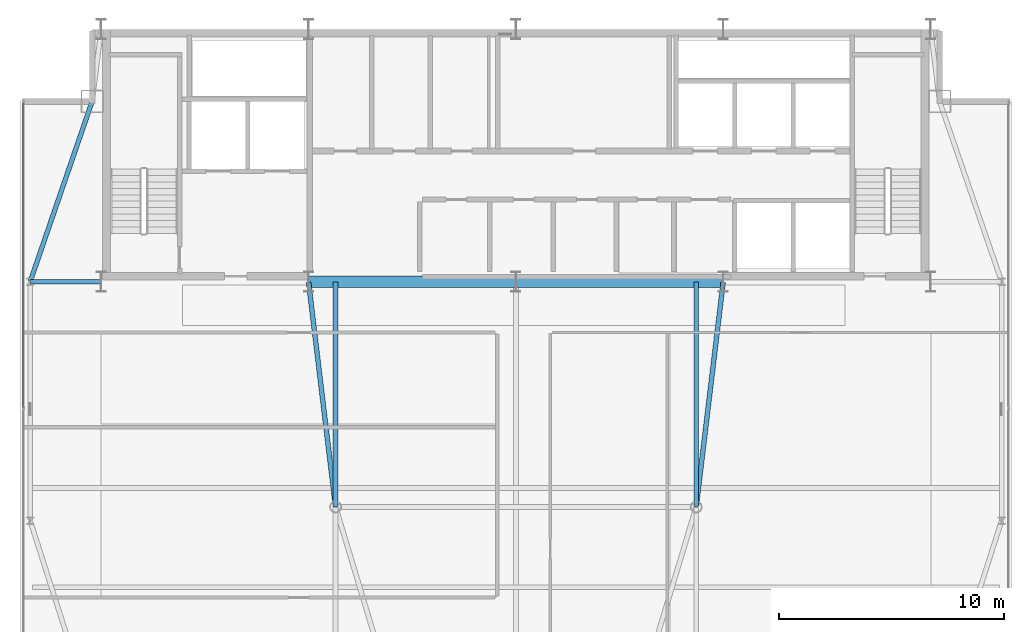
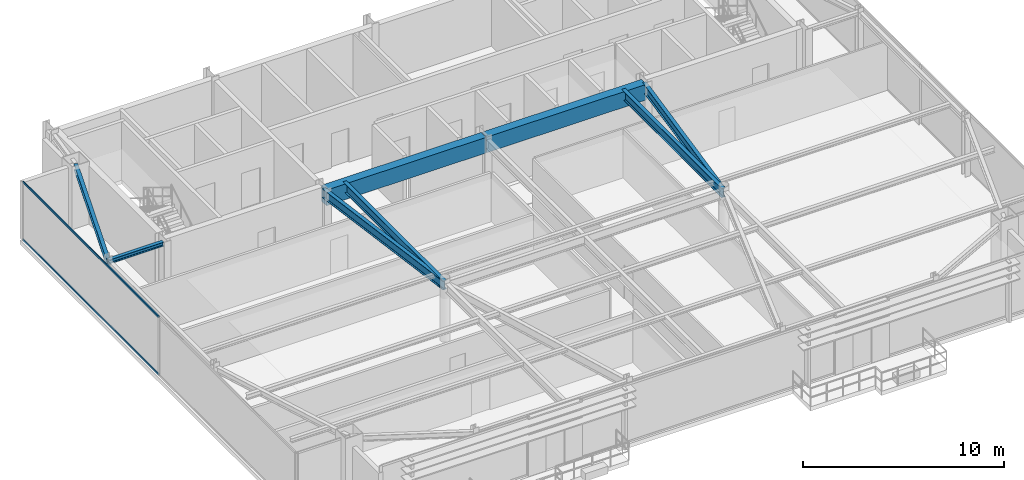
# One storey, part 10 of 23: 8 beams, 2 members, 1 element without a shape of its own.
"""IFC4 building model written with IfcOpenShell, lengths in metres."""

from ifc_helpers import new_model, si_unit, direction, frame, origin, origin_2d, place, context, subcontext, project, spatial, rectangle, hollow_rectangle, i_section, extrude, source, transform, mapped, material, layer, layer_set, material_profile, profile_set, type_object, type_shapes, element, aggregate, save


model = new_model("IFC4")

# Units and contexts
model_context = context("Model", 3, precision=1e-05, world=origin(), true_north=direction((0.0, 1.0)))
body_context = subcontext(model_context, "Body", "Model", "MODEL_VIEW")
ifc_project = project(units=[si_unit("LENGTHUNIT", "METRE"), si_unit("AREAUNIT", "SQUARE_METRE"), si_unit("VOLUMEUNIT", "CUBIC_METRE"), si_unit("PLANEANGLEUNIT", "RADIAN"), si_unit("MASSUNIT", "GRAM", prefix="KILO")], contexts=[model_context])

# Site, building, storey
site_placement = place(None, origin())
site = spatial("IfcSite", under=ifc_project, at=site_placement, CompositionType="ELEMENT")
building_placement = place(site_placement, origin())
building = spatial("IfcBuilding", under=site, at=building_placement, Name="Varnel Quay Broadcast Tower", CompositionType="ELEMENT")
storey_placement = place(building_placement, frame((0.0, 0.0, 266.0)))
storey = spatial("IfcBuildingStorey", under=building, at=storey_placement, Name="L66", CompositionType="ELEMENT", Elevation=266.0)

# Beams
ifc_material_1 = material(Name="Concrete CSA A23.3 C50/60", Category="concrete")
ifc_material_profile_1 = material_profile(ifc_material_1, rectangle(XDim=0.5, YDim=0.949951171875, at=origin_2d()), Name="RC500X950")
ifc_profile_set_1 = profile_set([ifc_material_profile_1], Name="Concrete CSA A23.3 C50/60")
beam_type_1 = type_object("IfcBeamType", Name="Beam_RC500X950", PredefinedType="BEAM", material=ifc_profile_set_1)
shared_shape_1 = source(origin(), body_context, "Body", "SweptSolid", [
    extrude(rectangle(XDim=0.5, YDim=0.949951171875, at=origin_2d()), origin(), (0.0, 0.0, 1.0), 9.159912109375),
])
type_shapes(beam_type_1, [shared_shape_1])
for number, where, z_axis, x_axis, name in (
    (1, (24.820068359375, 35.60009765625, 3.074951171875), (1.0, 0.0, 0.0), (0.0, 1.0, 0.0), "L66 Core Coupling Beam W"),
    (2, (34.02001953125, 35.60009765625, 3.074951171875), (1.0, 0.0, 0.0), (0.0, 1.0, 0.0), "L66 Core Coupling Beam E"),
):
    element("IfcBeam", number, at=place(storey_placement, frame(where, z_axis=z_axis, x_axis=x_axis)), inside=storey, type_object=beam_type_1, Name=name, PredefinedType="BEAM", context=body_context, shape_type="MappedRepresentation", body=[
        mapped(shared_shape_1, transform((0.0, 0.0, 0.0), x_axis=(1.0, 0.0, 0.0), y_axis=(0.0, 1.0, 0.0), z_axis=(0.0, 0.0, 1.0), scale=1.0)),
    ])
ifc_material_2 = material(Name="Structural Steel CSA G40.21 350W", Category="steel")
ifc_material_profile_2 = material_profile(ifc_material_2, i_section(OverallWidth=0.205078125, OverallDepth=0.35400390625, WebThickness=0.009521484375, FlangeThickness=0.016845703125, FilletRadius=0.012939453125, at=origin_2d()), Name="W360X79")
ifc_profile_set_2 = profile_set([ifc_material_profile_2], Name="Structural Steel CSA G40.21 350W")
beam_type_2 = type_object("IfcBeamType", Name="Beam_W360X79", PredefinedType="SPANDREL", material=ifc_profile_set_2)
shared_shape_2 = source(origin(), body_context, "Body", "SweptSolid", [
    extrude(i_section(OverallWidth=0.205078125, OverallDepth=0.35400390625, WebThickness=0.009521484375, FlangeThickness=0.016845703125, FilletRadius=0.012939453125, at=origin_2d()), origin(), (0.0, 0.0, 1.0), 8.41943359375),
])
type_shapes(beam_type_2, [shared_shape_2])
beam_1_placement = place(storey_placement, frame((12.45654296875, 35.618896484375, 3.373046875), z_axis=(0.325087062108, 0.945684092099, 0.0), x_axis=(-0.945684092099, 0.325087062108, 0.0)))
element("IfcBeam", 3, at=beam_1_placement, inside=storey, type_object=beam_type_2, Name="L66 West Spandrel TC-W2-MC-NW", PredefinedType="SPANDREL", context=body_context, shape_type="MappedRepresentation", body=[
    mapped(shared_shape_2, transform((0.0, 0.0, 0.0), x_axis=(1.0, 0.0, 0.0), y_axis=(0.0, 1.0, 0.0), z_axis=(0.0, 0.0, 1.0), scale=1.0)),
])
ifc_material_profile_3 = material_profile(ifc_material_2, i_section(OverallWidth=0.2119140625, OverallDepth=0.5439453125, WebThickness=0.01318359375, FlangeThickness=0.021240234375, FilletRadius=0.013916015625, at=origin_2d()), Name="W530X123")
ifc_profile_set_3 = profile_set([ifc_material_profile_3], Name="Structural Steel CSA G40.21 350W")
beam_type_3 = type_object("IfcBeamType", Name="Girder_W530X123", PredefinedType="BEAM", material=ifc_profile_set_3)
shared_shape_3 = source(origin(), body_context, "Body", "SweptSolid", [
    extrude(i_section(OverallWidth=0.2119140625, OverallDepth=0.5439453125, WebThickness=0.01318359375, FlangeThickness=0.021240234375, FilletRadius=0.013916015625, at=origin_2d()), origin(), (0.0, 0.0, 1.0), 10.021728515625),
])
for number, where, z_axis, x_axis, name in (
    (4, (25.99755859375, 25.6298828125, 3.278076171875), (-0.119248005741, 0.992864498875, 0.0), (-0.992864498875, -0.119248005741, 0.0), "L66 Primary Girder IC-01-CC-S2"),
    (5, (42.00244140625, 25.6298828125, 3.278076171875), (0.119248005741, 0.992864498875, 0.0), (-0.992864498875, 0.119248005741, 0.0), "L66 Primary Girder IC-02-CC-S4"),
):
    element("IfcBeam", number, at=place(storey_placement, frame(where, z_axis=z_axis, x_axis=x_axis)), inside=storey, type_object=beam_type_3, Name=name, PredefinedType="BEAM", context=body_context, shape_type="MappedRepresentation", body=[
        mapped(shared_shape_3, transform((0.0, 0.0, 0.0), x_axis=(1.0, 0.0, 0.0), y_axis=(0.0, 1.0, 0.0), z_axis=(0.0, 0.0, 1.0), scale=1.0)),
    ])
shared_shape_4 = source(origin(), body_context, "Body", "SweptSolid", [
    extrude(i_section(OverallWidth=0.2119140625, OverallDepth=0.5439453125, WebThickness=0.01318359375, FlangeThickness=0.021240234375, FilletRadius=0.013916015625, at=origin_2d()), origin(), (0.0, 0.0, 1.0), 9.9501953125),
])
type_shapes(beam_type_3, [shared_shape_3, shared_shape_4])
for number, where, z_axis, x_axis, name in (
    (6, (26.0, 25.6298828125, 3.278076171875), (0.0, 1.0, 0.0), (-1.0, 0.0, 0.0), "L66 N-S Joist Header IC-01N"),
    (7, (42.0, 25.6298828125, 3.278076171875), (0.0, 1.0, 0.0), (-1.0, 0.0, 0.0), "L66 N-S Joist Header IC-02N"),
):
    element("IfcBeam", number, at=place(storey_placement, frame(where, z_axis=z_axis, x_axis=x_axis)), inside=storey, type_object=beam_type_3, Name=name, PredefinedType="BEAM", context=body_context, shape_type="MappedRepresentation", body=[
        mapped(shared_shape_4, transform((0.0, 0.0, 0.0), x_axis=(1.0, 0.0, 0.0), y_axis=(0.0, 1.0, 0.0), z_axis=(0.0, 0.0, 1.0), scale=1.0)),
    ])
ifc_material_profile_4 = material_profile(ifc_material_2, i_section(OverallWidth=0.201904296875, OverallDepth=0.2470703125, WebThickness=0.00732421875, FlangeThickness=0.010986328125, FilletRadius=0.010986328125, at=origin_2d()), Name="W250X49")
ifc_profile_set_4 = profile_set([ifc_material_profile_4], Name="Structural Steel CSA G40.21 350W")
beam_type_4 = type_object("IfcBeamType", Name="Beam_W250X49", PredefinedType="JOIST", material=ifc_profile_set_4)
shared_shape_5 = source(origin(), body_context, "Body", "SweptSolid", [
    extrude(i_section(OverallWidth=0.201904296875, OverallDepth=0.2470703125, WebThickness=0.00732421875, FlangeThickness=0.010986328125, FilletRadius=0.010986328125, at=origin_2d()), origin(), (0.0, 0.0, 1.0), 3.110107421875),
])
type_shapes(beam_type_4, [shared_shape_5])
beam_2_placement = place(storey_placement, frame((12.469970703125, 35.60009765625, 3.426513671875), z_axis=(1.0, 0.0, 0.0), x_axis=(0.0, 1.0, 0.0)))
element("IfcBeam", 8, at=beam_2_placement, inside=storey, type_object=beam_type_4, Name="L66 West Core Tie Joist", PredefinedType="JOIST", context=body_context, shape_type="MappedRepresentation", body=[
    mapped(shared_shape_5, transform((0.0, 0.0, 0.0), x_axis=(1.0, 0.0, 0.0), y_axis=(0.0, 1.0, 0.0), z_axis=(0.0, 0.0, 1.0), scale=1.0)),
])

# Curtain wall, members
ifc_material_3 = material(Name="Anodised Bronze Aluminium 6063-T6", Category="aluminium")
ifc_layer = layer(ifc_material_3, 0.18994140625, Name="Anodised Bronze Aluminium 6063-T6")
ifc_layer_set = layer_set([ifc_layer], Name="Anodised Bronze Aluminium 6063-T6")
curtain_wall_type = type_object("IfcCurtainWallType", Name="CW_UpperTower", PredefinedType="NOTDEFINED", material=ifc_layer_set)
curtain_wall_placement = place(storey_placement, origin())
curtain_wall = element("IfcCurtainWall", 9, at=curtain_wall_placement, inside=storey, type_object=curtain_wall_type, Name="L66 West Unitised Curtain Wall", PredefinedType="NOTDEFINED")
ifc_material_profile_5 = material_profile(ifc_material_3, hollow_rectangle(XDim=0.06005859375, YDim=0.125, WallThickness=0.0029296875, at=origin_2d()), Name="ALU60X125X3")
ifc_profile_set_5 = profile_set([ifc_material_profile_5], Name="Anodised Bronze Aluminium 6063-T6")
member_type = type_object("IfcMemberType", Name="Tran_CWS-03", PredefinedType="USERDEFINED", material=ifc_profile_set_5)
shared_shape_6 = source(origin(), body_context, "Body", "SweptSolid", [
    extrude(hollow_rectangle(XDim=0.06005859375, YDim=0.125, WallThickness=0.0029296875, at=origin_2d()), origin(), (0.0, 0.0, 1.0), 13.50244140625),
])
type_shapes(member_type, [shared_shape_6])
member_1_placement = place(storey_placement, frame((12.14990234375, 30.032470703125, 0.030029296875), z_axis=(0.0, 1.0, 0.0), x_axis=(-1.0, 0.0, 0.0)))
member_1 = element("IfcMember", 10, at=member_1_placement, type_object=member_type, Name="CWS-03 transom 2.1", ObjectType="TRANSOM", PredefinedType="USERDEFINED", context=body_context, shape_type="MappedRepresentation", body=[
    mapped(shared_shape_6, transform((0.0, 0.0, 0.0), x_axis=(1.0, 0.0, 0.0), y_axis=(0.0, 1.0, 0.0), z_axis=(0.0, 0.0, 1.0), scale=1.0)),
])
member_2_placement = place(storey_placement, frame((12.14990234375, 30.032470703125, 3.52001953125), z_axis=(0.0, 1.0, 0.0), x_axis=(-1.0, 0.0, 0.0)))
member_2 = element("IfcMember", 11, at=member_2_placement, type_object=member_type, Name="CWS-03 transom 2.2", ObjectType="TRANSOM", PredefinedType="USERDEFINED", context=body_context, shape_type="MappedRepresentation", body=[
    mapped(shared_shape_6, transform((0.0, 0.0, 0.0), x_axis=(1.0, 0.0, 0.0), y_axis=(0.0, 1.0, 0.0), z_axis=(0.0, 0.0, 1.0), scale=1.0)),
])
aggregate(curtain_wall, [member_1, member_2])

save(model, "model.ifc")
